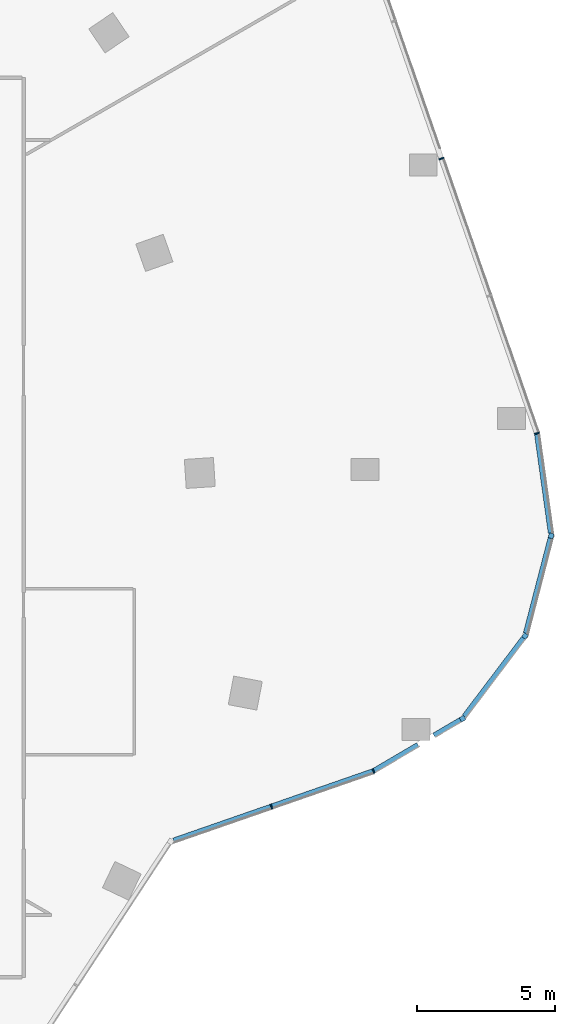
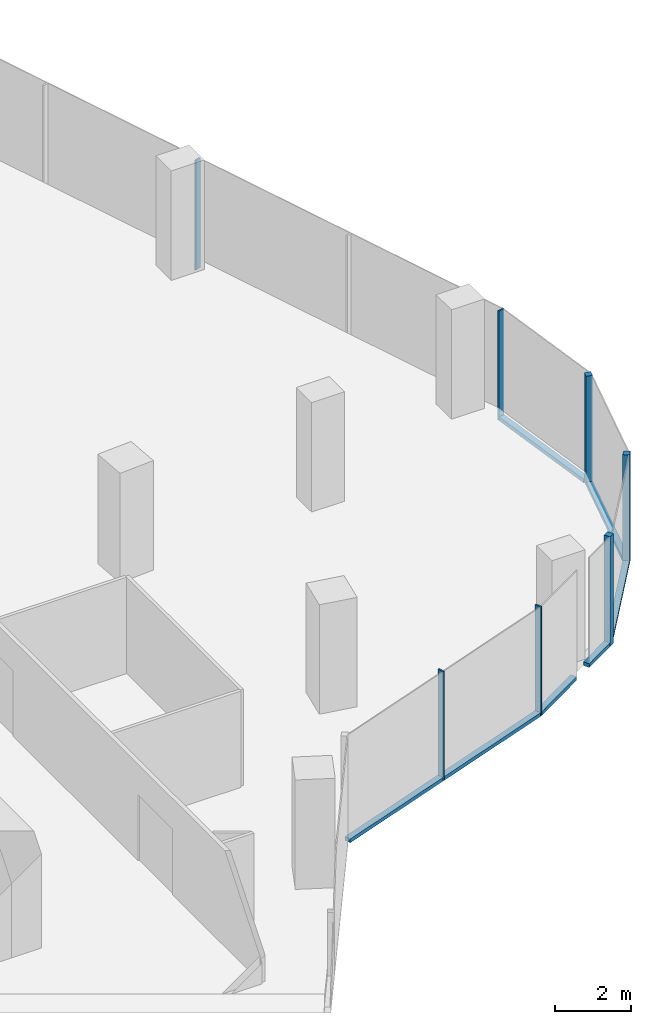
# One storey, part 8 of 24: 13 members, 6 elements without a shape of their own.
"""IFC4 building model written with IfcOpenShell, lengths in metres."""

from ifc_helpers import new_model, si_unit, direction, frame, origin, origin_2d, place, context, subcontext, project, spatial, rectangle, extrude, material, material_profile, profile_set, type_object, element, aggregate, save


model = new_model("IFC4")

# Units and contexts
model_context = context("Model", 3, precision=1e-05, world=origin(), true_north=direction((0.0, 1.0)))
body_context = subcontext(model_context, "Body", "Model", "MODEL_VIEW")
ifc_project = project(units=[si_unit("LENGTHUNIT", "METRE"), si_unit("AREAUNIT", "SQUARE_METRE"), si_unit("VOLUMEUNIT", "CUBIC_METRE"), si_unit("PLANEANGLEUNIT", "RADIAN"), si_unit("MASSUNIT", "GRAM", prefix="KILO")], contexts=[model_context])

# Site, building, storey
site_placement = place(None, origin())
site = spatial("IfcSite", under=ifc_project, at=site_placement, CompositionType="ELEMENT")
building_placement = place(site_placement, origin())
building = spatial("IfcBuilding", under=site, at=building_placement, Name="Orlundy Tower", CompositionType="ELEMENT")
storey_placement = place(building_placement, frame((0.0, 0.0, 235.5)))
storey = spatial("IfcBuildingStorey", under=building, at=storey_placement, Name="L62", CompositionType="ELEMENT", Elevation=235.5)

# Curtain wall, member
ifc_material_1 = material(Name="Aluminium bronze anodised", Category="aluminium")
curtain_wall_type = type_object("IfcCurtainWallType", Name="CW1 wall", PredefinedType="NOTDEFINED", material=ifc_material_1)
curtain_wall_1_placement = place(storey_placement, origin())
curtain_wall_1 = element("IfcCurtainWall", 1, at=curtain_wall_1_placement, inside=storey, type_object=curtain_wall_type, Name="CW1 run 025", PredefinedType="NOTDEFINED")
ifc_material_2 = material(Name="Aluminium bronze anodised", Category="aluminium")
ifc_material_profile_1 = material_profile(ifc_material_2, rectangle(XDim=0.179931640625, YDim=0.179931640625, at=origin_2d()), Name="CW1 corner post 180x180")
ifc_profile_set_1 = profile_set([ifc_material_profile_1], Name="Aluminium bronze anodised")
member_type_1 = type_object("IfcMemberType", Name="CW1 corner post 180x180", PredefinedType="MULLION", material=ifc_profile_set_1)
member_1_placement = place(storey_placement, frame((42.3046875, -0.29833984375, -0.39990234375), z_axis=(0.0, 0.0, 1.0), x_axis=(0.967797533004, -0.251729885218, 0.0)))
member_1 = element("IfcMember", 2, at=member_1_placement, type_object=member_type_1, Name="CW1 mullion 50", PredefinedType="MULLION", context=body_context, shape_type="SweptSolid", body=[
    extrude(rectangle(XDim=0.179931640625, YDim=0.179931640625, at=origin_2d()), origin(), (0.0, 0.0, 1.0), 3.5),
])

curtain_wall_2_placement = place(storey_placement, origin())
curtain_wall_2 = element("IfcCurtainWall", 3, at=curtain_wall_2_placement, inside=storey, type_object=curtain_wall_type, Name="CW1 run 026", PredefinedType="NOTDEFINED")
member_2_placement = place(storey_placement, frame((41.362548828125, -3.919921875, -0.39990234375), z_axis=(0.0, 0.0, 1.0), x_axis=(0.797630845017, -0.603145948405, 0.0)))
member_2 = element("IfcMember", 4, at=member_2_placement, type_object=member_type_1, Name="CW1 mullion 51", PredefinedType="MULLION", context=body_context, shape_type="SweptSolid", body=[
    extrude(rectangle(XDim=0.179931640625, YDim=0.179931640625, at=origin_2d()), origin(), (0.0, 0.0, 1.0), 3.5),
])

curtain_wall_3_placement = place(storey_placement, origin())
curtain_wall_3 = element("IfcCurtainWall", 5, at=curtain_wall_3_placement, inside=storey, type_object=curtain_wall_type, Name="CW1 run 027", PredefinedType="NOTDEFINED")
member_3_placement = place(storey_placement, frame((39.10498046875, -6.905517578125, -0.39990234375), z_axis=(0.0, 0.0, 1.0), x_axis=(0.506418670322, -0.862287730604, 0.0)))
member_3 = element("IfcMember", 6, at=member_3_placement, type_object=member_type_1, Name="CW1 mullion 52", PredefinedType="MULLION", context=body_context, shape_type="SweptSolid", body=[
    extrude(rectangle(XDim=0.179931640625, YDim=0.179931640625, at=origin_2d()), origin(), (0.0, 0.0, 1.0), 3.5),
])

# Curtain wall, members
curtain_wall_4_placement = place(storey_placement, origin())
curtain_wall_4 = element("IfcCurtainWall", 7, at=curtain_wall_4_placement, inside=storey, type_object=curtain_wall_type, Name="CW1 run 00", PredefinedType="NOTDEFINED")
ifc_material_3 = material(Name="Aluminium bronze anodised", Category="aluminium")
ifc_material_profile_2 = material_profile(ifc_material_3, rectangle(XDim=0.179931640625, YDim=0.050048828125, at=origin_2d()), Name="CW1 mullion 50x180")
ifc_profile_set_2 = profile_set([ifc_material_profile_2], Name="Aluminium bronze anodised")
member_type_2 = type_object("IfcMemberType", Name="CW1 mullion 50x180", PredefinedType="MULLION", material=ifc_profile_set_2)
member_4_placement = place(storey_placement, frame((35.885986328125, -8.796142578125, -0.39990234375), z_axis=(0.0, 0.0, 1.0), x_axis=(0.419347091388, -0.907825983845, 0.0)))
member_4 = element("IfcMember", 8, at=member_4_placement, type_object=member_type_2, Name="CW1 mullion 1", PredefinedType="MULLION", context=body_context, shape_type="SweptSolid", body=[
    extrude(rectangle(XDim=0.179931640625, YDim=0.050048828125, at=origin_2d()), origin(), (0.0, 0.0, 1.0), 3.5),
])
member_5_placement = place(storey_placement, frame((32.200927734375, -10.076416015625, -0.39990234375), z_axis=(0.0, 0.0, 1.0), x_axis=(0.328226635601, -0.944599002584, 0.0)))
member_5 = element("IfcMember", 9, at=member_5_placement, type_object=member_type_2, Name="CW1 mullion 2", PredefinedType="MULLION", context=body_context, shape_type="SweptSolid", body=[
    extrude(rectangle(XDim=0.179931640625, YDim=0.050048828125, at=origin_2d()), origin(), (0.0, 0.0, 1.0), 3.5),
])

# Curtain wall, member
curtain_wall_5_placement = place(storey_placement, origin())
curtain_wall_5 = element("IfcCurtainWall", 10, at=curtain_wall_5_placement, inside=storey, type_object=curtain_wall_type, Name="CW1 run 023", PredefinedType="NOTDEFINED")
member_6_placement = place(storey_placement, frame((38.340087890625, 13.32666015625, -0.39990234375), z_axis=(0.0, 0.0, 1.0), x_axis=(0.944577712924, 0.328287898416, 0.0)))
member_6 = element("IfcMember", 11, at=member_6_placement, type_object=member_type_2, Name="CW1 mullion 47", PredefinedType="MULLION", context=body_context, shape_type="SweptSolid", body=[
    extrude(rectangle(XDim=0.179931640625, YDim=0.050048828125, at=origin_2d()), origin(), (0.0, 0.0, 1.0), 3.5),
])
aggregate(curtain_wall_5, [member_6])

curtain_wall_6_placement = place(storey_placement, origin())
curtain_wall_6 = element("IfcCurtainWall", 12, at=curtain_wall_6_placement, inside=storey, type_object=curtain_wall_type, Name="CW1 run 024", PredefinedType="NOTDEFINED")
member_7_placement = place(storey_placement, frame((41.7900390625, 3.400146484375, -0.39990234375), z_axis=(0.0, 0.0, 1.0), x_axis=(0.972191666313, 0.234186600711, 0.0)))
member_7 = element("IfcMember", 13, at=member_7_placement, type_object=member_type_2, Name="CW1 mullion 49", PredefinedType="MULLION", context=body_context, shape_type="SweptSolid", body=[
    extrude(rectangle(XDim=0.179931640625, YDim=0.050048828125, at=origin_2d()), origin(), (0.0, 0.0, 1.0), 3.5),
])

# Member
ifc_material_4 = material(Name="Aluminium bronze anodised", Category="aluminium")
ifc_material_profile_3 = material_profile(ifc_material_4, rectangle(XDim=0.179931640625, YDim=0.1201171875, at=origin_2d()), Name="CW1 transom 180x120")
ifc_profile_set_3 = profile_set([ifc_material_profile_3], Name="Aluminium bronze anodised")
member_type_3 = type_object("IfcMemberType", Name="CW1 transom 180x120", PredefinedType="USERDEFINED", material=ifc_profile_set_3)
member_8_placement = place(storey_placement, frame((35.8623046875, -8.804443359375, -0.340087890625), z_axis=(-0.944607769449, -0.328201404471, 0.0), x_axis=(0.328201404471, -0.944607769449, 0.0)))
member_8 = element("IfcMember", 14, at=member_8_placement, type_object=member_type_3, Name="CW1 transom", ObjectType="TRANSOM", PredefinedType="USERDEFINED", context=body_context, shape_type="SweptSolid", body=[
    extrude(rectangle(XDim=0.179931640625, YDim=0.1201171875, at=origin_2d()), origin(), (0.0, 0.0, 1.0), 7.6240234375),
])

aggregate(curtain_wall_4, [member_4, member_5, member_8])

member_9_placement = place(storey_placement, frame((41.79345703125, 3.375244140625, -0.340087890625), z_axis=(0.137833643701, -0.990455393576, 0.0), x_axis=(0.990455393576, 0.137833643701, 0.0)))
member_9 = element("IfcMember", 15, at=member_9_placement, type_object=member_type_3, Name="CW1 transom", ObjectType="TRANSOM", PredefinedType="USERDEFINED", context=body_context, shape_type="SweptSolid", body=[
    extrude(rectangle(XDim=0.179931640625, YDim=0.1201171875, at=origin_2d()), origin(), (0.0, 0.0, 1.0), 3.611572265625),
])

aggregate(curtain_wall_6, [member_7, member_9])

member_10_placement = place(storey_placement, frame((42.281982421875, -0.385498046875, -0.340087890625), z_axis=(-0.251720057279, -0.967800089256, 0.0), x_axis=(0.967800089256, -0.251720057279, 0.0)))
member_10 = element("IfcMember", 16, at=member_10_placement, type_object=member_type_3, Name="CW1 transom", ObjectType="TRANSOM", PredefinedType="USERDEFINED", context=body_context, shape_type="SweptSolid", body=[
    extrude(rectangle(XDim=0.179931640625, YDim=0.1201171875, at=origin_2d()), origin(), (0.0, 0.0, 1.0), 3.5546875),
])

aggregate(curtain_wall_1, [member_1, member_10])

member_11_placement = place(storey_placement, frame((41.308349609375, -3.99169921875, -0.340087890625), z_axis=(-0.603126388783, -0.797645635074, 0.0), x_axis=(0.797645635074, -0.603126388783, 0.0)))
member_11 = element("IfcMember", 17, at=member_11_placement, type_object=member_type_3, Name="CW1 transom", ObjectType="TRANSOM", PredefinedType="USERDEFINED", context=body_context, shape_type="SweptSolid", body=[
    extrude(rectangle(XDim=0.179931640625, YDim=0.1201171875, at=origin_2d()), origin(), (0.0, 0.0, 1.0), 3.5556640625),
])

aggregate(curtain_wall_2, [member_2, member_11])

member_12_placement = place(storey_placement, frame((39.02734375, -6.951171875, -0.340087890625), z_axis=(-0.862262925153, -0.506460904618, 0.0), x_axis=(0.506460904618, -0.862262925153, 0.0)))
member_12 = element("IfcMember", 18, at=member_12_placement, type_object=member_type_3, Name="CW1 transom", ObjectType="TRANSOM", PredefinedType="USERDEFINED", context=body_context, shape_type="SweptSolid", body=[
    extrude(rectangle(XDim=0.179931640625, YDim=0.1201171875, at=origin_2d()), origin(), (0.0, 0.0, 1.0), 1.106689453125),
])

member_13_placement = place(storey_placement, frame((37.493408203125, -7.85205078125, -0.340087890625), z_axis=(-0.862292301074, -0.506410888023, 0.0), x_axis=(0.506410888023, -0.862292301074, 0.0)))
member_13 = element("IfcMember", 19, at=member_13_placement, type_object=member_type_3, Name="CW1 transom", ObjectType="TRANSOM", PredefinedType="USERDEFINED", context=body_context, shape_type="SweptSolid", body=[
    extrude(rectangle(XDim=0.179931640625, YDim=0.1201171875, at=origin_2d()), origin(), (0.0, 0.0, 1.0), 1.839111328125),
])

aggregate(curtain_wall_3, [member_3, member_12, member_13])

save(model, "model.ifc")
